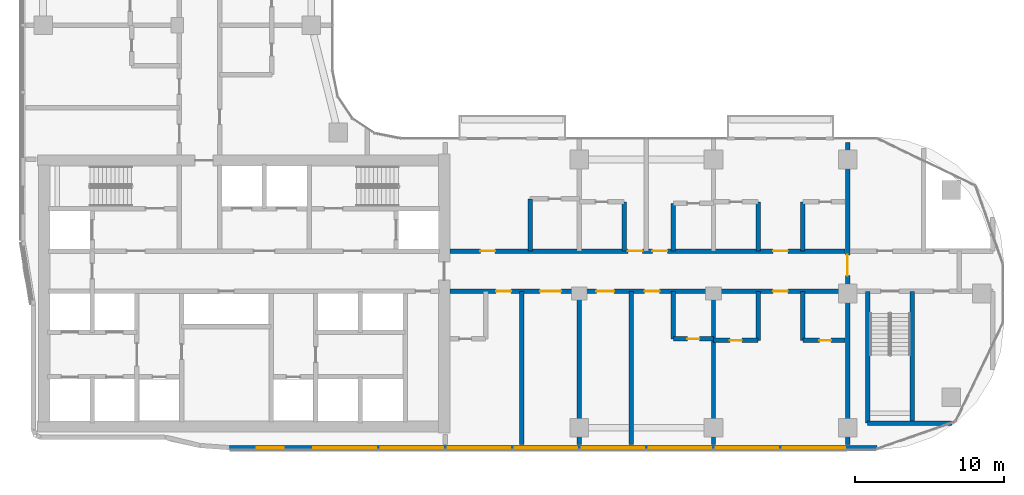
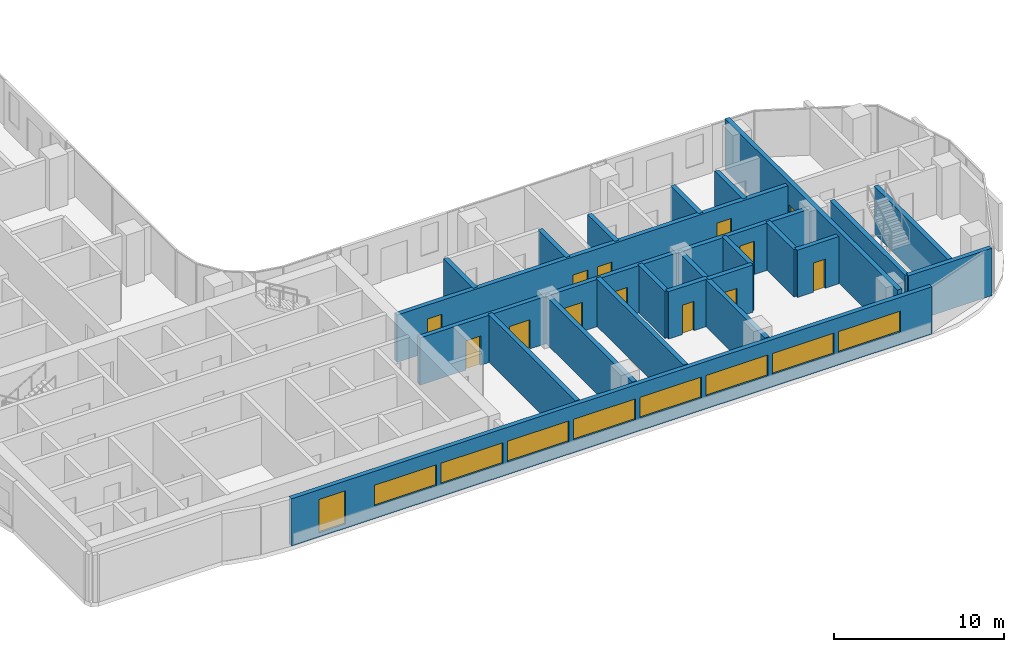
# One storey, part 9 of 21: 22 walls, 13 doors, 9 windows, 22 openings.
"""IFC4 building model written with IfcOpenShell, lengths in metres."""

import ifcopenshell
import ifcopenshell.guid

model = None  # the IFC model being written
_history = None  # IfcOwnerHistory: only IFC2X3 demands one
_inside = {}  # id of a spatial element -> (the spatial element, [elements in it])
_under = {}  # id of a project, library or spatial element -> (it, [spatial elements below it])
_declared = {}  # id of a project -> (the project, [libraries it declares])
_typed = {}  # id of a type object -> (the type object, [elements of that type])
_made_of = {}  # id of a material, layer set ... -> (it, [elements and type objects made of it])


def new_model(schema):
    """Start an empty IFC model of exactly this schema.

    Asked for "IFC4X3", IfcOpenShell would pick the latest addendum, in which some entities
    have other attributes; the version numbers below select the first issue.
    IFC2X3 requires an IfcOwnerHistory on every rooted entity: one is made here for all.
    """
    global model, _history
    if schema == "IFC4X3":
        model = ifcopenshell.file(schema_version=(4, 3, 0, 0))
    else:
        model = ifcopenshell.file(schema=schema)
    _inside.clear()
    _under.clear()
    _declared.clear()
    _typed.clear()
    _made_of.clear()
    _history = None
    if model.schema == "IFC2X3":
        org = make("IfcOrganization", Name="unknown")
        user = make(
            "IfcPersonAndOrganization",
            ThePerson=make("IfcPerson", FamilyName="unknown"),
            TheOrganization=org,
        )
        app = make(
            "IfcApplication",
            ApplicationDeveloper=org,
            Version="unknown",
            ApplicationFullName="unknown",
            ApplicationIdentifier="unknown",
        )
        _history = make(
            "IfcOwnerHistory",
            OwningUser=user,
            OwningApplication=app,
            ChangeAction="ADDED",
            CreationDate=0,
        )
    return model


def make(cls, **values):
    """One entity of the class cls with the attributes given. An attribute that is None is left unset."""
    return model.create_entity(
        cls, **{name: value for name, value in values.items() if value is not None}
    )


def rooted(cls, **values):
    """An entity with a GlobalId (a new one), such as an element, a storey or a relation."""
    return make(cls, GlobalId=ifcopenshell.guid.new(), OwnerHistory=_history, **values)


def si_unit(unit_type, name, prefix=None):
    """IfcSIUnit, for example si_unit("LENGTHUNIT", "METRE", prefix="MILLI")."""
    return make("IfcSIUnit", UnitType=unit_type, Prefix=prefix, Name=name)


def assignment(units):
    """IfcUnitAssignment: the units of a project."""
    return None if units is None else make("IfcUnitAssignment", Units=units)


def point(xyz):
    """IfcCartesianPoint."""
    return None if xyz is None else make("IfcCartesianPoint", Coordinates=xyz)


def direction(xyz):
    """IfcDirection."""
    return None if xyz is None else make("IfcDirection", DirectionRatios=xyz)


def frame(location, z_axis=None, x_axis=None):
    """IfcAxis2Placement3D, a coordinate frame: its origin and axes. An axis left out is left unset."""
    return make(
        "IfcAxis2Placement3D",
        Location=point(location),
        Axis=direction(z_axis),
        RefDirection=direction(x_axis),
    )


def frame_2d(location, x_axis=None):
    """IfcAxis2Placement2D, a coordinate frame in the plane: its origin and x axis."""
    return make(
        "IfcAxis2Placement2D", Location=point(location), RefDirection=direction(x_axis)
    )


def origin():
    """The frame at (0, 0, 0) with its axes left unset."""
    return frame((0.0, 0.0, 0.0))


def place(relative_to, where):
    """IfcLocalPlacement: puts the frame where relative to a parent placement (None: the world)."""
    return make(
        "IfcLocalPlacement", PlacementRelTo=relative_to, RelativePlacement=where
    )


def context(
    kind, dimensions, precision=None, world=None, true_north=None, identifier=None
):
    """IfcGeometricRepresentationContext, for example the 3D "Model" context."""
    return make(
        "IfcGeometricRepresentationContext",
        ContextIdentifier=identifier,
        ContextType=kind,
        CoordinateSpaceDimension=dimensions,
        Precision=precision,
        WorldCoordinateSystem=world,
        TrueNorth=true_north,
    )


def subcontext(parent, identifier, kind, view, scale=None):
    """IfcGeometricRepresentationSubContext, for example "Body" below "Model"."""
    return make(
        "IfcGeometricRepresentationSubContext",
        ContextIdentifier=identifier,
        ContextType=kind,
        ParentContext=parent,
        TargetScale=scale,
        TargetView=view,
    )


def project(units=None, contexts=None):
    """IfcProject with its units and contexts."""
    return rooted(
        "IfcProject",
        Name="project",
        RepresentationContexts=contexts,
        UnitsInContext=assignment(units),
    )


def spatial(cls, under=None, at=None, **own):
    """A site, building, storey or space (cls), placed at a placement, below another one or the project."""
    s = rooted(cls, ObjectPlacement=at, **own)
    if under is not None:
        _under.setdefault(under.id(), (under, []))[1].append(s)
    return s


def profile(cls, at=None, kind="AREA", **sizes):
    """A parametric profile (cls). Its sizes go by their IFC names, for example OverallWidth=200.0."""
    return make(cls, ProfileType=kind, Position=at, **sizes)


def rectangle(**sizes):
    """IfcRectangleProfileDef."""
    return profile("IfcRectangleProfileDef", **sizes)


def extrude(swept, where, along, depth):
    """IfcExtrudedAreaSolid: the profile swept, set in the frame where, extruded along a direction by depth."""
    return make(
        "IfcExtrudedAreaSolid",
        SweptArea=swept,
        Position=where,
        ExtrudedDirection=direction(along),
        Depth=depth,
    )


def shape(context_of_items, identifier, shape_type, items):
    """IfcShapeRepresentation: the items that make up one representation, for example the "Body"."""
    return make(
        "IfcShapeRepresentation",
        ContextOfItems=context_of_items,
        RepresentationIdentifier=identifier,
        RepresentationType=shape_type,
        Items=items,
    )


def material(Name=None, Category=None):
    """IfcMaterial."""
    return make("IfcMaterial", Name=Name, Category=Category)


def layer(
    of_material, thickness, ventilated=None, Name=None, Category=None, Priority=None
):
    """IfcMaterialLayer: one layer of a wall or slab, of a material (None: an air gap)."""
    return make(
        "IfcMaterialLayer",
        Material=of_material,
        LayerThickness=thickness,
        IsVentilated=ventilated,
        Name=Name,
        Category=Category,
        Priority=Priority,
    )


def layer_set(layers, Name=None):
    """IfcMaterialLayerSet."""
    return make("IfcMaterialLayerSet", MaterialLayers=layers, LayerSetName=Name)


def made_of(thing, what):
    """Note that an element or type object is made of a material, layer set ...; save() writes the relation."""
    if what is not None:
        _made_of.setdefault(what.id(), (what, []))[1].append(thing)
    return thing


def type_object(cls, material=None, **own):
    """A type object (cls), such as IfcWallType, which elements share."""
    return made_of(rooted(cls, **own), material)


def element(
    cls,
    number,
    at=None,
    inside=None,
    cuts=None,
    type_object=None,
    material=None,
    context=None,
    identifier="Body",
    shape_type=None,
    held_by="IfcProductDefinitionShape",
    body=None,
    shapes=None,
    **own,
):
    """One element of the class cls, such as IfcWall. Its Tag is "e" and its number.

    at: its placement. inside: the storey or other place that contains it. cuts: it is an
    opening in that element (IfcRelVoidsElement). A single representation is given by context,
    identifier, shape_type and body (its items); several are given by shapes. held_by: the class
    of the entity that holds the representations. save() writes the other relations.
    """
    e = rooted(cls, Tag="e%d" % number, ObjectPlacement=at, **own)
    if body is not None:
        shapes = [shape(context, identifier, shape_type, body)]
    if shapes is not None:
        e.Representation = make(held_by, Representations=shapes)
    if inside is not None:
        _inside.setdefault(inside.id(), (inside, []))[1].append(e)
    if cuts is not None:
        rooted(
            "IfcRelVoidsElement", RelatingBuildingElement=cuts, RelatedOpeningElement=e
        )
    if type_object is not None:
        _typed.setdefault(type_object.id(), (type_object, []))[1].append(e)
    return made_of(e, material)


def fill(opening, filler):
    """IfcRelFillsElement: the door or window that sits in an opening."""
    return rooted(
        "IfcRelFillsElement",
        RelatingOpeningElement=opening,
        RelatedBuildingElement=filler,
    )


def aggregate(whole, parts):
    """IfcRelAggregates: a whole, such as a stair, and the parts it consists of."""
    return rooted("IfcRelAggregates", RelatingObject=whole, RelatedObjects=parts)


def save(model, path):
    """Write the relations noted so far, then the file.

    IfcRelAggregates (storeys below a building ...), IfcRelContainedInSpatialStructure (elements
    in a storey), IfcRelDefinesByType, IfcRelAssociatesMaterial and IfcRelDeclares: one each for
    every whole, place, type object, material and project.
    """
    for whole, parts in _under.values():
        aggregate(whole, parts)
    for where, things in _inside.values():
        rooted(
            "IfcRelContainedInSpatialStructure",
            RelatedElements=things,
            RelatingStructure=where,
        )
    for kind, things in _typed.values():
        rooted("IfcRelDefinesByType", RelatedObjects=things, RelatingType=kind)
    for what, things in _made_of.values():
        rooted("IfcRelAssociatesMaterial", RelatedObjects=things, RelatingMaterial=what)
    for by, libraries in _declared.values():
        rooted("IfcRelDeclares", RelatingContext=by, RelatedDefinitions=libraries)
    model.write(path)


model = new_model("IFC4")

# Units and contexts
model_context = context("Model", 3, precision=1e-05, world=origin(), true_north=direction((0.0, 1.0)))
body_context = subcontext(model_context, "Body", "Model", "MODEL_VIEW")
ifc_project = project(units=[si_unit("LENGTHUNIT", "METRE"), si_unit("AREAUNIT", "SQUARE_METRE"), si_unit("VOLUMEUNIT", "CUBIC_METRE"), si_unit("PLANEANGLEUNIT", "RADIAN"), si_unit("MASSUNIT", "GRAM", prefix="KILO")], contexts=[model_context])

# Site, building, storey
site_placement = place(None, origin())
site = spatial("IfcSite", under=ifc_project, at=site_placement, CompositionType="ELEMENT")
building_placement = place(site_placement, origin())
building = spatial("IfcBuilding", under=site, at=building_placement, Name="Ogive Portal Towers", CompositionType="ELEMENT")
storey_placement = place(building_placement, frame((0.0, 0.0, 109.300048828125)))
storey = spatial("IfcBuildingStorey", under=building, at=storey_placement, Name="L26", CompositionType="ELEMENT", Elevation=109.300048828125)

# Wall, openings, windows
ifc_material_1 = material(Name="Limestone cladding on lightweight block wall", Category="masonry")
ifc_layer_1 = layer(ifc_material_1, 0.300048828125)
ifc_layer_set_1 = layer_set([ifc_layer_1], Name="EXTERNAL WALL 300 STONE")
wall_type_1 = type_object("IfcWallType", Name="EXTERNAL WALL 300 STONE", PredefinedType="SOLIDWALL", material=ifc_layer_set_1)
wall_1_placement = place(storey_placement, frame((44.0107421875, 20.14990234375, 0.0), z_axis=(0.0, 0.0, 1.0), x_axis=(1.0, 0.0, 0.0)))
wall_1 = element("IfcWall", 1, at=wall_1_placement, inside=storey, type_object=wall_type_1, Name="A:L26:f06:r0:wall", PredefinedType="SOLIDWALL", context=body_context, shape_type="SweptSolid", body=[
    extrude(rectangle(XDim=43.4755859375, YDim=0.300048828125, at=frame_2d((21.73779296875, 0.0))), origin(), (0.0, 0.0, 1.0), 3.39990234375),
])
opening_1_placement = place(wall_1_placement, frame((1.8447265625, 0.0, 0.300048828125)))
opening_1 = element("IfcOpeningElement", 2, at=opening_1_placement, cuts=wall_1, Name="Opening WN10", PredefinedType="OPENING", context=body_context, shape_type="SweptSolid", body=[
    extrude(rectangle(XDim=1.800048828125, YDim=2.39990234375, at=frame_2d((0.89990234375, 1.199951171875))), frame((0.0, 0.16015625, 0.0), z_axis=(0.0, -1.0, 0.0), x_axis=(1.0, 0.0, 0.0)), (0.0, 0.0, 1.0), 0.320068359375),
])
opening_2_placement = place(wall_1_placement, frame((5.639404296875, 0.0, 0.89990234375)))
opening_2 = element("IfcOpeningElement", 3, at=opening_2_placement, cuts=wall_1, Name="Opening WN11", PredefinedType="OPENING", context=body_context, shape_type="SweptSolid", body=[
    extrude(rectangle(XDim=4.199951171875, YDim=1.5, at=frame_2d((2.10009765625, 0.75))), frame((0.0, 0.16015625, 0.0), z_axis=(0.0, -1.0, 0.0), x_axis=(1.0, 0.0, 0.0)), (0.0, 0.0, 1.0), 0.320068359375),
])
opening_3_placement = place(wall_1_placement, frame((10.139404296875, 0.0, 0.89990234375)))
opening_3 = element("IfcOpeningElement", 4, at=opening_3_placement, cuts=wall_1, Name="Opening WN11", PredefinedType="OPENING", context=body_context, shape_type="SweptSolid", body=[
    extrude(rectangle(XDim=4.199951171875, YDim=1.5, at=frame_2d((2.10009765625, 0.75))), frame((0.0, 0.16015625, 0.0), z_axis=(0.0, -1.0, 0.0), x_axis=(1.0, 0.0, 0.0)), (0.0, 0.0, 1.0), 0.320068359375),
])
opening_4_placement = place(wall_1_placement, frame((14.639404296875, 0.0, 0.89990234375)))
opening_4 = element("IfcOpeningElement", 5, at=opening_4_placement, cuts=wall_1, Name="Opening WN11", PredefinedType="OPENING", context=body_context, shape_type="SweptSolid", body=[
    extrude(rectangle(XDim=4.199951171875, YDim=1.5, at=frame_2d((2.10009765625, 0.75))), frame((0.0, 0.16015625, 0.0), z_axis=(0.0, -1.0, 0.0), x_axis=(1.0, 0.0, 0.0)), (0.0, 0.0, 1.0), 0.320068359375),
])
opening_5_placement = place(wall_1_placement, frame((19.139404296875, 0.0, 0.89990234375)))
opening_5 = element("IfcOpeningElement", 6, at=opening_5_placement, cuts=wall_1, Name="Opening WN11", PredefinedType="OPENING", context=body_context, shape_type="SweptSolid", body=[
    extrude(rectangle(XDim=4.199951171875, YDim=1.5, at=frame_2d((2.10009765625, 0.75))), frame((0.0, 0.16015625, 0.0), z_axis=(0.0, -1.0, 0.0), x_axis=(1.0, 0.0, 0.0)), (0.0, 0.0, 1.0), 0.320068359375),
])
opening_6_placement = place(wall_1_placement, frame((23.639404296875, 0.0, 0.89990234375)))
opening_6 = element("IfcOpeningElement", 7, at=opening_6_placement, cuts=wall_1, Name="Opening WN11", PredefinedType="OPENING", context=body_context, shape_type="SweptSolid", body=[
    extrude(rectangle(XDim=4.199951171875, YDim=1.5, at=frame_2d((2.10009765625, 0.75))), frame((0.0, 0.16015625, 0.0), z_axis=(0.0, -1.0, 0.0), x_axis=(1.0, 0.0, 0.0)), (0.0, 0.0, 1.0), 0.320068359375),
])
opening_7_placement = place(wall_1_placement, frame((28.139404296875, 0.0, 0.89990234375)))
opening_7 = element("IfcOpeningElement", 8, at=opening_7_placement, cuts=wall_1, Name="Opening WN11", PredefinedType="OPENING", context=body_context, shape_type="SweptSolid", body=[
    extrude(rectangle(XDim=4.199951171875, YDim=1.5, at=frame_2d((2.10009765625, 0.75))), frame((0.0, 0.16015625, 0.0), z_axis=(0.0, -1.0, 0.0), x_axis=(1.0, 0.0, 0.0)), (0.0, 0.0, 1.0), 0.320068359375),
])
opening_8_placement = place(wall_1_placement, frame((32.639404296875, 0.0, 0.89990234375)))
opening_8 = element("IfcOpeningElement", 9, at=opening_8_placement, cuts=wall_1, Name="Opening WN11", PredefinedType="OPENING", context=body_context, shape_type="SweptSolid", body=[
    extrude(rectangle(XDim=4.199951171875, YDim=1.5, at=frame_2d((2.10009765625, 0.75))), frame((0.0, 0.16015625, 0.0), z_axis=(0.0, -1.0, 0.0), x_axis=(1.0, 0.0, 0.0)), (0.0, 0.0, 1.0), 0.320068359375),
])
opening_9_placement = place(wall_1_placement, frame((37.139404296875, 0.0, 0.89990234375)))
opening_9 = element("IfcOpeningElement", 10, at=opening_9_placement, cuts=wall_1, Name="Opening WN11", PredefinedType="OPENING", context=body_context, shape_type="SweptSolid", body=[
    extrude(rectangle(XDim=4.199951171875, YDim=1.5, at=frame_2d((2.10009765625, 0.75))), frame((0.0, 0.16015625, 0.0), z_axis=(0.0, -1.0, 0.0), x_axis=(1.0, 0.0, 0.0)), (0.0, 0.0, 1.0), 0.320068359375),
])
ifc_material_2 = material(Name="Glass, clear low-iron insulated glazing", Category="glass")
window_type_1 = type_object("IfcWindowType", Name="WINDOW RIBBON 4200x1500", PartitioningType="TRIPLE_PANEL_VERTICAL", PredefinedType="WINDOW", material=ifc_material_2)
window_1_placement = place(opening_2_placement, origin())
window_1 = element("IfcWindow", 11, at=window_1_placement, inside=storey, type_object=window_type_1, Name="A:L26:f06:r0:w1", OverallHeight=1.5, OverallWidth=4.199951171875, PartitioningType="SINGLE_PANEL", PredefinedType="WINDOW", context=body_context, shape_type="SweptSolid", body=[
    extrude(rectangle(XDim=4.199951171875, YDim=1.5, at=frame_2d((2.10009765625, 0.75))), frame((0.0, 0.030029296875, 0.0), z_axis=(0.0, -1.0, 0.0), x_axis=(1.0, 0.0, 0.0)), (0.0, 0.0, 1.0), 0.06005859375),
])
fill(opening_2, window_1)
window_2_placement = place(opening_3_placement, origin())
window_2 = element("IfcWindow", 12, at=window_2_placement, inside=storey, type_object=window_type_1, Name="A:L26:f06:r0:w2", OverallHeight=1.5, OverallWidth=4.199951171875, PartitioningType="SINGLE_PANEL", PredefinedType="WINDOW", context=body_context, shape_type="SweptSolid", body=[
    extrude(rectangle(XDim=4.199951171875, YDim=1.5, at=frame_2d((2.10009765625, 0.75))), frame((0.0, 0.030029296875, 0.0), z_axis=(0.0, -1.0, 0.0), x_axis=(1.0, 0.0, 0.0)), (0.0, 0.0, 1.0), 0.06005859375),
])
fill(opening_3, window_2)
window_3_placement = place(opening_4_placement, origin())
window_3 = element("IfcWindow", 13, at=window_3_placement, inside=storey, type_object=window_type_1, Name="A:L26:f06:r0:w3", OverallHeight=1.5, OverallWidth=4.199951171875, PartitioningType="SINGLE_PANEL", PredefinedType="WINDOW", context=body_context, shape_type="SweptSolid", body=[
    extrude(rectangle(XDim=4.199951171875, YDim=1.5, at=frame_2d((2.10009765625, 0.75))), frame((0.0, 0.030029296875, 0.0), z_axis=(0.0, -1.0, 0.0), x_axis=(1.0, 0.0, 0.0)), (0.0, 0.0, 1.0), 0.06005859375),
])
fill(opening_4, window_3)
window_4_placement = place(opening_5_placement, origin())
window_4 = element("IfcWindow", 14, at=window_4_placement, inside=storey, type_object=window_type_1, Name="A:L26:f06:r0:w4", OverallHeight=1.5, OverallWidth=4.199951171875, PartitioningType="SINGLE_PANEL", PredefinedType="WINDOW", context=body_context, shape_type="SweptSolid", body=[
    extrude(rectangle(XDim=4.199951171875, YDim=1.5, at=frame_2d((2.10009765625, 0.75))), frame((0.0, 0.030029296875, 0.0), z_axis=(0.0, -1.0, 0.0), x_axis=(1.0, 0.0, 0.0)), (0.0, 0.0, 1.0), 0.06005859375),
])
fill(opening_5, window_4)
window_5_placement = place(opening_6_placement, origin())
window_5 = element("IfcWindow", 15, at=window_5_placement, inside=storey, type_object=window_type_1, Name="A:L26:f06:r0:w5", OverallHeight=1.5, OverallWidth=4.199951171875, PartitioningType="SINGLE_PANEL", PredefinedType="WINDOW", context=body_context, shape_type="SweptSolid", body=[
    extrude(rectangle(XDim=4.199951171875, YDim=1.5, at=frame_2d((2.10009765625, 0.75))), frame((0.0, 0.030029296875, 0.0), z_axis=(0.0, -1.0, 0.0), x_axis=(1.0, 0.0, 0.0)), (0.0, 0.0, 1.0), 0.06005859375),
])
fill(opening_6, window_5)
window_6_placement = place(opening_7_placement, origin())
window_6 = element("IfcWindow", 16, at=window_6_placement, inside=storey, type_object=window_type_1, Name="A:L26:f06:r0:w6", OverallHeight=1.5, OverallWidth=4.199951171875, PartitioningType="SINGLE_PANEL", PredefinedType="WINDOW", context=body_context, shape_type="SweptSolid", body=[
    extrude(rectangle(XDim=4.199951171875, YDim=1.5, at=frame_2d((2.10009765625, 0.75))), frame((0.0, 0.030029296875, 0.0), z_axis=(0.0, -1.0, 0.0), x_axis=(1.0, 0.0, 0.0)), (0.0, 0.0, 1.0), 0.06005859375),
])
fill(opening_7, window_6)
window_7_placement = place(opening_8_placement, origin())
window_7 = element("IfcWindow", 17, at=window_7_placement, inside=storey, type_object=window_type_1, Name="A:L26:f06:r0:w7", OverallHeight=1.5, OverallWidth=4.199951171875, PartitioningType="SINGLE_PANEL", PredefinedType="WINDOW", context=body_context, shape_type="SweptSolid", body=[
    extrude(rectangle(XDim=4.199951171875, YDim=1.5, at=frame_2d((2.10009765625, 0.75))), frame((0.0, 0.030029296875, 0.0), z_axis=(0.0, -1.0, 0.0), x_axis=(1.0, 0.0, 0.0)), (0.0, 0.0, 1.0), 0.06005859375),
])
fill(opening_8, window_7)
window_8_placement = place(opening_9_placement, origin())
window_8 = element("IfcWindow", 18, at=window_8_placement, inside=storey, type_object=window_type_1, Name="A:L26:f06:r0:w8", OverallHeight=1.5, OverallWidth=4.199951171875, PartitioningType="SINGLE_PANEL", PredefinedType="WINDOW", context=body_context, shape_type="SweptSolid", body=[
    extrude(rectangle(XDim=4.199951171875, YDim=1.5, at=frame_2d((2.10009765625, 0.75))), frame((0.0, 0.030029296875, 0.0), z_axis=(0.0, -1.0, 0.0), x_axis=(1.0, 0.0, 0.0)), (0.0, 0.0, 1.0), 0.06005859375),
])
fill(opening_9, window_8)
window_type_2 = type_object("IfcWindowType", Name="WINDOW SUITE CORNER 1800x2400", PartitioningType="DOUBLE_PANEL_VERTICAL", PredefinedType="WINDOW", material=ifc_material_2)
window_9_placement = place(opening_1_placement, origin())
window_9 = element("IfcWindow", 19, at=window_9_placement, inside=storey, type_object=window_type_2, Name="A:L26:f06:r0:w0", OverallHeight=2.39990234375, OverallWidth=1.800048828125, PartitioningType="SINGLE_PANEL", PredefinedType="WINDOW", context=body_context, shape_type="SweptSolid", body=[
    extrude(rectangle(XDim=1.800048828125, YDim=2.39990234375, at=frame_2d((0.89990234375, 1.199951171875))), frame((0.0, 0.030029296875, 0.0), z_axis=(0.0, -1.0, 0.0), x_axis=(1.0, 0.0, 0.0)), (0.0, 0.0, 1.0), 0.06005859375),
])
fill(opening_1, window_9)

# Wall, opening, door
ifc_material_3 = material(Name="Concrete C60/75", Category="concrete")
ifc_layer_2 = layer(ifc_material_3, 0.300048828125)
ifc_layer_set_2 = layer_set([ifc_layer_2], Name="REVEAL WALL 300 C60")
wall_type_2 = type_object("IfcWallType", Name="REVEAL WALL 300 C60", PredefinedType="SHEAR", material=ifc_layer_set_2)
wall_2_placement = place(storey_placement, frame((85.5, 20.35009765625, 0.0), z_axis=(0.0, 0.0, 1.0), x_axis=(0.0, 1.0, 0.0)))
wall_2 = element("IfcWall", 20, at=wall_2_placement, inside=storey, type_object=wall_type_2, Name="Portal reveal wall L26", PredefinedType="SHEAR", context=body_context, shape_type="SweptSolid", body=[
    extrude(rectangle(XDim=20.2998046875, YDim=0.300048828125, at=frame_2d((10.14990234375, 0.0))), origin(), (0.0, 0.0, 1.0), 3.699951171875),
])
opening_10_placement = place(wall_2_placement, frame((11.35009765625, 0.0, 0.0)))
opening_10 = element("IfcOpeningElement", 21, at=opening_10_placement, cuts=wall_2, Name="Opening D09-063", PredefinedType="OPENING", context=body_context, shape_type="SweptSolid", body=[
    extrude(rectangle(XDim=1.39990234375, YDim=2.10009765625, at=frame_2d((0.699951171875, 1.050048828125))), frame((0.0, 0.16015625, 0.0), z_axis=(0.0, -1.0, 0.0), x_axis=(1.0, 0.0, 0.0)), (0.0, 0.0, 1.0), 0.320068359375),
])
ifc_material_4 = material(Name="Steel fire door", Category="steel")
door_type_1 = type_object("IfcDoorType", Name="DT-STAIR-1400x2100-FD90S", OperationType="SINGLE_SWING_LEFT", PredefinedType="DOOR", material=ifc_material_4)
door_1_placement = place(opening_10_placement, origin())
door_1 = element("IfcDoor", 22, at=door_1_placement, inside=storey, type_object=door_type_1, Name="Door D09-063", OperationType="SINGLE_SWING_RIGHT", OverallHeight=2.10009765625, OverallWidth=1.39990234375, PredefinedType="DOOR", context=body_context, shape_type="SweptSolid", body=[
    extrude(rectangle(XDim=1.39990234375, YDim=2.10009765625, at=frame_2d((0.699951171875, 1.050048828125))), frame((0.0, 0.02490234375, 0.0), z_axis=(0.0, -1.0, 0.0), x_axis=(1.0, 0.0, 0.0)), (0.0, 0.0, 1.0), 0.050048828125),
])
fill(opening_10, door_1)

# Walls
ifc_material_5 = material(Name="Concrete C50/60", Category="concrete")
ifc_layer_3 = layer(ifc_material_5, 0.300048828125)
ifc_layer_set_3 = layer_set([ifc_layer_3], Name="STAIR WALL 300 C50")
wall_type_3 = type_object("IfcWallType", Name="STAIR WALL 300 C50", PredefinedType="SHEAR", material=ifc_layer_set_3)
wall_3_placement = place(storey_placement, frame((86.85009765625, 21.800048828125, 0.0), z_axis=(0.0, 0.0, 1.0), x_axis=(1.0, 0.0, 0.0)))
element("IfcWall", 23, at=wall_3_placement, inside=storey, type_object=wall_type_3, Name="Stair wall ST-A4 L26", PredefinedType="SHEAR", context=body_context, shape_type="SweptSolid", body=[
    extrude(rectangle(XDim=5.664794921875, YDim=0.300048828125, at=frame_2d((2.83251953125, 0.0))), origin(), (0.0, 0.0, 1.0), 3.39990234375),
])
for number, where, z_axis, x_axis, name in (
    (24, (86.85009765625, 21.800048828125, 0.0), (0.0, 0.0, 1.0), (0.0, 1.0, 0.0), "Stair wall ST-A4 L26"),
    (25, (89.85009765625, 21.800048828125, 0.0), (0.0, 0.0, 1.0), (0.0, 1.0, 0.0), "Stair wall ST-A4 L26"),
):
    element("IfcWall", number, at=place(storey_placement, frame(where, z_axis=z_axis, x_axis=x_axis)), inside=storey, type_object=wall_type_3, Name=name, PredefinedType="SHEAR", context=body_context, shape_type="SweptSolid", body=[
        extrude(rectangle(XDim=8.849853515625, YDim=0.300048828125, at=frame_2d((4.4248046875, 0.0))), origin(), (0.0, 0.0, 1.0), 3.39990234375),
    ])

# Wall, openings, doors
ifc_material_6 = material(Name="Gypsum board partition on steel studs", Category="steel")
ifc_layer_4 = layer(ifc_material_6, 0.300048828125)
ifc_layer_set_4 = layer_set([ifc_layer_4], Name="WT-PART-300-EI 120")
wall_type_4 = type_object("IfcWallType", Name="WT-PART-300-EI 120", PredefinedType="PARTITIONING", material=ifc_layer_set_4)
wall_4_placement = place(storey_placement, frame((58.800048828125, 30.64990234375, 0.0), z_axis=(0.0, 0.0, 1.0), x_axis=(1.0, 0.0, 0.0)))
wall_4 = element("IfcWall", 26, at=wall_4_placement, inside=storey, type_object=wall_type_4, Name="Wall L26:w006", PredefinedType="PARTITIONING", context=body_context, shape_type="SweptSolid", body=[
    extrude(rectangle(XDim=26.530029296875, YDim=0.300048828125, at=frame_2d((13.26513671875, 0.0))), origin(), (0.0, 0.0, 1.0), 3.39990234375),
])
opening_11_placement = place(wall_4_placement, frame((3.114990234375, 0.0, 0.0)))
opening_11 = element("IfcOpeningElement", 27, at=opening_11_placement, cuts=wall_4, Name="Opening D09-027", PredefinedType="OPENING", context=body_context, shape_type="SweptSolid", body=[
    extrude(rectangle(XDim=1.0, YDim=2.10009765625, at=frame_2d((0.5, 1.050048828125))), frame((0.0, 0.16015625, 0.0), z_axis=(0.0, -1.0, 0.0), x_axis=(1.0, 0.0, 0.0)), (0.0, 0.0, 1.0), 0.320068359375),
])
opening_12_placement = place(wall_4_placement, frame((6.06494140625, 0.0, 0.0)))
opening_12 = element("IfcOpeningElement", 28, at=opening_12_placement, cuts=wall_4, Name="Opening D09-028", PredefinedType="OPENING", context=body_context, shape_type="SweptSolid", body=[
    extrude(rectangle(XDim=1.39990234375, YDim=2.10009765625, at=frame_2d((0.699951171875, 1.050048828125))), frame((0.0, 0.16015625, 0.0), z_axis=(0.0, -1.0, 0.0), x_axis=(1.0, 0.0, 0.0)), (0.0, 0.0, 1.0), 0.320068359375),
])
opening_13_placement = place(wall_4_placement, frame((9.8349609375, 0.0, 0.0)))
opening_13 = element("IfcOpeningElement", 29, at=opening_13_placement, cuts=wall_4, Name="Opening D09-033", PredefinedType="OPENING", context=body_context, shape_type="SweptSolid", body=[
    extrude(rectangle(XDim=1.199951171875, YDim=2.10009765625, at=frame_2d((0.60009765625, 1.050048828125))), frame((0.0, 0.16015625, 0.0), z_axis=(0.0, -1.0, 0.0), x_axis=(1.0, 0.0, 0.0)), (0.0, 0.0, 1.0), 0.320068359375),
])
opening_14_placement = place(wall_4_placement, frame((13.0849609375, 0.0, 0.0)))
opening_14 = element("IfcOpeningElement", 30, at=opening_14_placement, cuts=wall_4, Name="Opening D09-035", PredefinedType="OPENING", context=body_context, shape_type="SweptSolid", body=[
    extrude(rectangle(XDim=1.0, YDim=2.10009765625, at=frame_2d((0.5, 1.050048828125))), frame((0.0, 0.16015625, 0.0), z_axis=(0.0, -1.0, 0.0), x_axis=(1.0, 0.0, 0.0)), (0.0, 0.0, 1.0), 0.320068359375),
])
opening_15_placement = place(wall_4_placement, frame((21.699951171875, 0.0, 0.0)))
opening_15 = element("IfcOpeningElement", 31, at=opening_15_placement, cuts=wall_4, Name="Opening D09-041", PredefinedType="OPENING", context=body_context, shape_type="SweptSolid", body=[
    extrude(rectangle(XDim=1.0, YDim=2.39990234375, at=frame_2d((0.5, 1.199951171875))), frame((0.0, 0.16015625, 0.0), z_axis=(0.0, -1.0, 0.0), x_axis=(1.0, 0.0, 0.0)), (0.0, 0.0, 1.0), 0.320068359375),
])
door_type_2 = type_object("IfcDoorType", Name="DT-ENTRY-1000x2100-FD90S", OperationType="SINGLE_SWING_LEFT", PredefinedType="DOOR", material=ifc_material_4)
door_2_placement = place(opening_11_placement, origin())
door_2 = element("IfcDoor", 32, at=door_2_placement, inside=storey, type_object=door_type_2, Name="Door D09-027", OperationType="SINGLE_SWING_RIGHT", OverallHeight=2.10009765625, OverallWidth=1.0, PredefinedType="DOOR", context=body_context, shape_type="SweptSolid", body=[
    extrude(rectangle(XDim=1.0, YDim=2.10009765625, at=frame_2d((0.5, 1.050048828125))), frame((0.0, 0.02490234375, 0.0), z_axis=(0.0, -1.0, 0.0), x_axis=(1.0, 0.0, 0.0)), (0.0, 0.0, 1.0), 0.050048828125),
])
fill(opening_11, door_2)
door_3_placement = place(opening_14_placement, origin())
door_3 = element("IfcDoor", 33, at=door_3_placement, inside=storey, type_object=door_type_2, Name="Door D09-035", OperationType="SINGLE_SWING_LEFT", OverallHeight=2.10009765625, OverallWidth=1.0, PredefinedType="DOOR", context=body_context, shape_type="SweptSolid", body=[
    extrude(rectangle(XDim=1.0, YDim=2.10009765625, at=frame_2d((0.5, 1.050048828125))), frame((0.0, 0.02490234375, 0.0), z_axis=(0.0, -1.0, 0.0), x_axis=(1.0, 0.0, 0.0)), (0.0, 0.0, 1.0), 0.050048828125),
])
fill(opening_14, door_3)
door_type_3 = type_object("IfcDoorType", Name="DT-ENTRY-1000x2400-FD90S", OperationType="SINGLE_SWING_LEFT", PredefinedType="DOOR", material=ifc_material_4)
door_4_placement = place(opening_15_placement, origin())
door_4 = element("IfcDoor", 34, at=door_4_placement, inside=storey, type_object=door_type_3, Name="Door D09-041", OperationType="SINGLE_SWING_LEFT", OverallHeight=2.39990234375, OverallWidth=1.0, PredefinedType="DOOR", context=body_context, shape_type="SweptSolid", body=[
    extrude(rectangle(XDim=1.0, YDim=2.39990234375, at=frame_2d((0.5, 1.199951171875))), frame((0.0, 0.02490234375, 0.0), z_axis=(0.0, -1.0, 0.0), x_axis=(1.0, 0.0, 0.0)), (0.0, 0.0, 1.0), 0.050048828125),
])
fill(opening_15, door_4)
door_type_4 = type_object("IfcDoorType", Name="DT-ENTRY-1200x2100-FD90S", OperationType="SINGLE_SWING_LEFT", PredefinedType="DOOR", material=ifc_material_4)
door_5_placement = place(opening_13_placement, origin())
door_5 = element("IfcDoor", 35, at=door_5_placement, inside=storey, type_object=door_type_4, Name="Door D09-033", OperationType="SINGLE_SWING_LEFT", OverallHeight=2.10009765625, OverallWidth=1.199951171875, PredefinedType="DOOR", context=body_context, shape_type="SweptSolid", body=[
    extrude(rectangle(XDim=1.199951171875, YDim=2.10009765625, at=frame_2d((0.60009765625, 1.050048828125))), frame((0.0, 0.02490234375, 0.0), z_axis=(0.0, -1.0, 0.0), x_axis=(1.0, 0.0, 0.0)), (0.0, 0.0, 1.0), 0.050048828125),
])
fill(opening_13, door_5)
door_type_5 = type_object("IfcDoorType", Name="DT-ENTRY-1400x2100-FD90S", OperationType="SINGLE_SWING_LEFT", PredefinedType="DOOR", material=ifc_material_4)
door_6_placement = place(opening_12_placement, origin())
door_6 = element("IfcDoor", 36, at=door_6_placement, inside=storey, type_object=door_type_5, Name="Door D09-028", OperationType="SINGLE_SWING_LEFT", OverallHeight=2.10009765625, OverallWidth=1.39990234375, PredefinedType="DOOR", context=body_context, shape_type="SweptSolid", body=[
    extrude(rectangle(XDim=1.39990234375, YDim=2.10009765625, at=frame_2d((0.699951171875, 1.050048828125))), frame((0.0, 0.02490234375, 0.0), z_axis=(0.0, -1.0, 0.0), x_axis=(1.0, 0.0, 0.0)), (0.0, 0.0, 1.0), 0.050048828125),
])
fill(opening_12, door_6)

wall_5_placement = place(storey_placement, frame((58.800048828125, 33.35009765625, 0.0), z_axis=(0.0, 0.0, 1.0), x_axis=(1.0, 0.0, 0.0)))
wall_5 = element("IfcWall", 37, at=wall_5_placement, inside=storey, type_object=wall_type_4, Name="Wall L26:w008", PredefinedType="PARTITIONING", context=body_context, shape_type="SweptSolid", body=[
    extrude(rectangle(XDim=26.530029296875, YDim=0.300048828125, at=frame_2d((13.26513671875, 0.0))), origin(), (0.0, 0.0, 1.0), 3.39990234375),
])
opening_16_placement = place(wall_5_placement, frame((2.050048828125, 0.0, 0.0)))
opening_16 = element("IfcOpeningElement", 38, at=opening_16_placement, cuts=wall_5, Name="Opening D09-025", PredefinedType="OPENING", context=body_context, shape_type="SweptSolid", body=[
    extrude(rectangle(XDim=1.0, YDim=2.39990234375, at=frame_2d((0.5, 1.199951171875))), frame((0.0, 0.16015625, 0.0), z_axis=(0.0, -1.0, 0.0), x_axis=(1.0, 0.0, 0.0)), (0.0, 0.0, 1.0), 0.320068359375),
])
opening_17_placement = place(wall_5_placement, frame((11.949951171875, 0.0, 0.0)))
opening_17 = element("IfcOpeningElement", 39, at=opening_17_placement, cuts=wall_5, Name="Opening D09-030", PredefinedType="OPENING", context=body_context, shape_type="SweptSolid", body=[
    extrude(rectangle(XDim=1.0, YDim=2.10009765625, at=frame_2d((0.5, 1.050048828125))), frame((0.0, 0.16015625, 0.0), z_axis=(0.0, -1.0, 0.0), x_axis=(1.0, 0.0, 0.0)), (0.0, 0.0, 1.0), 0.320068359375),
])
opening_18_placement = place(wall_5_placement, frame((13.60009765625, 0.0, 0.0)))
opening_18 = element("IfcOpeningElement", 40, at=opening_18_placement, cuts=wall_5, Name="Opening D09-032", PredefinedType="OPENING", context=body_context, shape_type="SweptSolid", body=[
    extrude(rectangle(XDim=1.0, YDim=2.10009765625, at=frame_2d((0.5, 1.050048828125))), frame((0.0, 0.16015625, 0.0), z_axis=(0.0, -1.0, 0.0), x_axis=(1.0, 0.0, 0.0)), (0.0, 0.0, 1.0), 0.320068359375),
])
opening_19_placement = place(wall_5_placement, frame((21.699951171875, 0.0, 0.0)))
opening_19 = element("IfcOpeningElement", 41, at=opening_19_placement, cuts=wall_5, Name="Opening D09-038", PredefinedType="OPENING", context=body_context, shape_type="SweptSolid", body=[
    extrude(rectangle(XDim=1.0, YDim=2.39990234375, at=frame_2d((0.5, 1.199951171875))), frame((0.0, 0.16015625, 0.0), z_axis=(0.0, -1.0, 0.0), x_axis=(1.0, 0.0, 0.0)), (0.0, 0.0, 1.0), 0.320068359375),
])
door_7_placement = place(opening_17_placement, origin())
door_7 = element("IfcDoor", 42, at=door_7_placement, inside=storey, type_object=door_type_2, Name="Door D09-030", OperationType="SINGLE_SWING_RIGHT", OverallHeight=2.10009765625, OverallWidth=1.0, PredefinedType="DOOR", context=body_context, shape_type="SweptSolid", body=[
    extrude(rectangle(XDim=1.0, YDim=2.10009765625, at=frame_2d((0.5, 1.050048828125))), frame((0.0, 0.02490234375, 0.0), z_axis=(0.0, -1.0, 0.0), x_axis=(1.0, 0.0, 0.0)), (0.0, 0.0, 1.0), 0.050048828125),
])
fill(opening_17, door_7)
door_8_placement = place(opening_18_placement, origin())
door_8 = element("IfcDoor", 43, at=door_8_placement, inside=storey, type_object=door_type_2, Name="Door D09-032", OperationType="SINGLE_SWING_LEFT", OverallHeight=2.10009765625, OverallWidth=1.0, PredefinedType="DOOR", context=body_context, shape_type="SweptSolid", body=[
    extrude(rectangle(XDim=1.0, YDim=2.10009765625, at=frame_2d((0.5, 1.050048828125))), frame((0.0, 0.02490234375, 0.0), z_axis=(0.0, -1.0, 0.0), x_axis=(1.0, 0.0, 0.0)), (0.0, 0.0, 1.0), 0.050048828125),
])
fill(opening_18, door_8)
door_9_placement = place(opening_16_placement, origin())
door_9 = element("IfcDoor", 44, at=door_9_placement, inside=storey, type_object=door_type_3, Name="Door D09-025", OperationType="SINGLE_SWING_LEFT", OverallHeight=2.39990234375, OverallWidth=1.0, PredefinedType="DOOR", context=body_context, shape_type="SweptSolid", body=[
    extrude(rectangle(XDim=1.0, YDim=2.39990234375, at=frame_2d((0.5, 1.199951171875))), frame((0.0, 0.02490234375, 0.0), z_axis=(0.0, -1.0, 0.0), x_axis=(1.0, 0.0, 0.0)), (0.0, 0.0, 1.0), 0.050048828125),
])
fill(opening_16, door_9)
door_10_placement = place(opening_19_placement, origin())
door_10 = element("IfcDoor", 45, at=door_10_placement, inside=storey, type_object=door_type_3, Name="Door D09-038", OperationType="SINGLE_SWING_LEFT", OverallHeight=2.39990234375, OverallWidth=1.0, PredefinedType="DOOR", context=body_context, shape_type="SweptSolid", body=[
    extrude(rectangle(XDim=1.0, YDim=2.39990234375, at=frame_2d((0.5, 1.199951171875))), frame((0.0, 0.02490234375, 0.0), z_axis=(0.0, -1.0, 0.0), x_axis=(1.0, 0.0, 0.0)), (0.0, 0.0, 1.0), 0.050048828125),
])
fill(opening_19, door_10)

# Wall, opening, door
ifc_layer_5 = layer(ifc_material_6, 0.300048828125)
ifc_layer_set_5 = layer_set([ifc_layer_5], Name="WT-PART-300-EI 60")
wall_type_5 = type_object("IfcWallType", Name="WT-PART-300-EI 60", PredefinedType="PARTITIONING", material=ifc_layer_set_5)
wall_6_placement = place(storey_placement, frame((76.5, 27.35009765625, 0.0), z_axis=(0.0, 0.0, 1.0), x_axis=(1.0, 0.0, 0.0)))
wall_6 = element("IfcWall", 46, at=wall_6_placement, inside=storey, type_object=wall_type_5, Name="Wall L26:w002", PredefinedType="PARTITIONING", context=body_context, shape_type="SweptSolid", body=[
    extrude(rectangle(XDim=3.0, YDim=0.300048828125, at=frame_2d((1.5, 0.0))), origin(), (0.0, 0.0, 1.0), 3.39990234375),
])
opening_20_placement = place(wall_6_placement, frame((1.10009765625, 0.0, 0.0)))
opening_20 = element("IfcOpeningElement", 47, at=opening_20_placement, cuts=wall_6, Name="Opening D09-039", PredefinedType="OPENING", context=body_context, shape_type="SweptSolid", body=[
    extrude(rectangle(XDim=0.800048828125, YDim=2.10009765625, at=frame_2d((0.39990234375, 1.050048828125))), frame((0.0, 0.16015625, 0.0), z_axis=(0.0, -1.0, 0.0), x_axis=(1.0, 0.0, 0.0)), (0.0, 0.0, 1.0), 0.320068359375),
])
door_type_6 = type_object("IfcDoorType", Name="DT-BATH-800x2100-FD60S", OperationType="SINGLE_SWING_LEFT", PredefinedType="DOOR", material=ifc_material_4)
door_11_placement = place(opening_20_placement, origin())
door_11 = element("IfcDoor", 48, at=door_11_placement, inside=storey, type_object=door_type_6, Name="Door D09-039", OperationType="SINGLE_SWING_LEFT", OverallHeight=2.10009765625, OverallWidth=0.800048828125, PredefinedType="DOOR", context=body_context, shape_type="SweptSolid", body=[
    extrude(rectangle(XDim=0.800048828125, YDim=2.10009765625, at=frame_2d((0.39990234375, 1.050048828125))), frame((0.0, 0.02490234375, 0.0), z_axis=(0.0, -1.0, 0.0), x_axis=(1.0, 0.0, 0.0)), (0.0, 0.0, 1.0), 0.050048828125),
])
fill(opening_20, door_11)

wall_7_placement = place(storey_placement, frame((82.5, 27.35009765625, 0.0), z_axis=(0.0, 0.0, 1.0), x_axis=(1.0, 0.0, 0.0)))
wall_7 = element("IfcWall", 49, at=wall_7_placement, inside=storey, type_object=wall_type_5, Name="Wall L26:w003", PredefinedType="PARTITIONING", context=body_context, shape_type="SweptSolid", body=[
    extrude(rectangle(XDim=2.830078125, YDim=0.300048828125, at=frame_2d((1.4150390625, 0.0))), origin(), (0.0, 0.0, 1.0), 3.39990234375),
])
opening_21_placement = place(wall_7_placement, frame((1.10009765625, 0.0, 0.0)))
opening_21 = element("IfcOpeningElement", 50, at=opening_21_placement, cuts=wall_7, Name="Opening D09-040", PredefinedType="OPENING", context=body_context, shape_type="SweptSolid", body=[
    extrude(rectangle(XDim=0.800048828125, YDim=2.10009765625, at=frame_2d((0.39990234375, 1.050048828125))), frame((0.0, 0.16015625, 0.0), z_axis=(0.0, -1.0, 0.0), x_axis=(1.0, 0.0, 0.0)), (0.0, 0.0, 1.0), 0.320068359375),
])
door_12_placement = place(opening_21_placement, origin())
door_12 = element("IfcDoor", 51, at=door_12_placement, inside=storey, type_object=door_type_6, Name="Door D09-040", OperationType="SINGLE_SWING_RIGHT", OverallHeight=2.10009765625, OverallWidth=0.800048828125, PredefinedType="DOOR", context=body_context, shape_type="SweptSolid", body=[
    extrude(rectangle(XDim=0.800048828125, YDim=2.10009765625, at=frame_2d((0.39990234375, 1.050048828125))), frame((0.0, 0.02490234375, 0.0), z_axis=(0.0, -1.0, 0.0), x_axis=(1.0, 0.0, 0.0)), (0.0, 0.0, 1.0), 0.050048828125),
])
fill(opening_21, door_12)

wall_8_placement = place(storey_placement, frame((73.800048828125, 27.449951171875, 0.0), z_axis=(0.0, 0.0, 1.0), x_axis=(1.0, 0.0, 0.0)))
wall_8 = element("IfcWall", 52, at=wall_8_placement, inside=storey, type_object=wall_type_5, Name="Wall L26:w005", PredefinedType="PARTITIONING", context=body_context, shape_type="SweptSolid", body=[
    extrude(rectangle(XDim=2.699951171875, YDim=0.300048828125, at=frame_2d((1.35009765625, 0.0))), origin(), (0.0, 0.0, 1.0), 3.39990234375),
])
opening_22_placement = place(wall_8_placement, frame((0.949951171875, 0.0, 0.0)))
opening_22 = element("IfcOpeningElement", 53, at=opening_22_placement, cuts=wall_8, Name="Opening D09-034", PredefinedType="OPENING", context=body_context, shape_type="SweptSolid", body=[
    extrude(rectangle(XDim=0.800048828125, YDim=2.10009765625, at=frame_2d((0.39990234375, 1.050048828125))), frame((0.0, 0.16015625, 0.0), z_axis=(0.0, -1.0, 0.0), x_axis=(1.0, 0.0, 0.0)), (0.0, 0.0, 1.0), 0.320068359375),
])
door_13_placement = place(opening_22_placement, origin())
door_13 = element("IfcDoor", 54, at=door_13_placement, inside=storey, type_object=door_type_6, Name="Door D09-034", OperationType="SINGLE_SWING_RIGHT", OverallHeight=2.10009765625, OverallWidth=0.800048828125, PredefinedType="DOOR", context=body_context, shape_type="SweptSolid", body=[
    extrude(rectangle(XDim=0.800048828125, YDim=2.10009765625, at=frame_2d((0.39990234375, 1.050048828125))), frame((0.0, 0.02490234375, 0.0), z_axis=(0.0, -1.0, 0.0), x_axis=(1.0, 0.0, 0.0)), (0.0, 0.0, 1.0), 0.050048828125),
])
fill(opening_22, door_13)

# Walls
wall_9_placement = place(storey_placement, frame((63.6298828125, 20.35009765625, 0.0), z_axis=(0.0, 0.0, 1.0), x_axis=(0.0, 1.0, 0.0)))
element("IfcWall", 55, at=wall_9_placement, inside=storey, type_object=wall_type_5, Name="Wall L26:w047", PredefinedType="PARTITIONING", context=body_context, shape_type="SweptSolid", body=[
    extrude(rectangle(XDim=10.2998046875, YDim=0.300048828125, at=frame_2d((5.14990234375, 0.0))), origin(), (0.0, 0.0, 1.0), 3.39990234375),
])
wall_10_placement = place(storey_placement, frame((64.199951171875, 33.35009765625, 0.0), z_axis=(0.0, 0.0, 1.0), x_axis=(0.0, 1.0, 0.0)))
element("IfcWall", 56, at=wall_10_placement, inside=storey, type_object=wall_type_5, Name="Wall L26:w048", PredefinedType="PARTITIONING", context=body_context, shape_type="SweptSolid", body=[
    extrude(rectangle(XDim=3.5, YDim=0.300048828125, at=frame_2d((1.75, 0.0))), origin(), (0.0, 0.0, 1.0), 3.39990234375),
])
wall_11_placement = place(storey_placement, frame((67.5, 20.35009765625, 0.0), z_axis=(0.0, 0.0, 1.0), x_axis=(0.0, 1.0, 0.0)))
element("IfcWall", 57, at=wall_11_placement, inside=storey, type_object=wall_type_5, Name="Wall L26:w049", PredefinedType="PARTITIONING", context=body_context, shape_type="SweptSolid", body=[
    extrude(rectangle(XDim=10.2998046875, YDim=0.300048828125, at=frame_2d((5.14990234375, 0.0))), origin(), (0.0, 0.0, 1.0), 3.39990234375),
])
wall_12_placement = place(storey_placement, frame((70.5, 33.35009765625, 0.0), z_axis=(0.0, 0.0, 1.0), x_axis=(0.0, 1.0, 0.0)))
element("IfcWall", 58, at=wall_12_placement, inside=storey, type_object=wall_type_5, Name="Wall L26:w051", PredefinedType="PARTITIONING", context=body_context, shape_type="SweptSolid", body=[
    extrude(rectangle(XDim=3.2998046875, YDim=0.300048828125, at=frame_2d((1.64990234375, 0.0))), origin(), (0.0, 0.0, 1.0), 3.39990234375),
])
wall_13_placement = place(storey_placement, frame((70.969970703125, 20.35009765625, 0.0), z_axis=(0.0, 0.0, 1.0), x_axis=(0.0, 1.0, 0.0)))
element("IfcWall", 59, at=wall_13_placement, inside=storey, type_object=wall_type_5, Name="Wall L26:w052", PredefinedType="PARTITIONING", context=body_context, shape_type="SweptSolid", body=[
    extrude(rectangle(XDim=10.2998046875, YDim=0.300048828125, at=frame_2d((5.14990234375, 0.0))), origin(), (0.0, 0.0, 1.0), 3.39990234375),
])
for number, where, z_axis, x_axis, name in (
    (60, (73.800048828125, 27.449951171875, 0.0), (0.0, 0.0, 1.0), (0.0, 1.0, 0.0), "Wall L26:w054"),
    (61, (73.800048828125, 33.35009765625, 0.0), (0.0, 0.0, 1.0), (0.0, 1.0, 0.0), "Wall L26:w055"),
):
    element("IfcWall", number, at=place(storey_placement, frame(where, z_axis=z_axis, x_axis=x_axis)), inside=storey, type_object=wall_type_5, Name=name, PredefinedType="PARTITIONING", context=body_context, shape_type="SweptSolid", body=[
        extrude(rectangle(XDim=3.199951171875, YDim=0.300048828125, at=frame_2d((1.60009765625, 0.0))), origin(), (0.0, 0.0, 1.0), 3.39990234375),
    ])
wall_14_placement = place(storey_placement, frame((76.5, 20.35009765625, 0.0), z_axis=(0.0, 0.0, 1.0), x_axis=(0.0, 1.0, 0.0)))
element("IfcWall", 62, at=wall_14_placement, inside=storey, type_object=wall_type_5, Name="Wall L26:w056", PredefinedType="PARTITIONING", context=body_context, shape_type="SweptSolid", body=[
    extrude(rectangle(XDim=10.2998046875, YDim=0.300048828125, at=frame_2d((5.14990234375, 0.0))), origin(), (0.0, 0.0, 1.0), 3.39990234375),
])
for number, where, z_axis, x_axis, name in (
    (63, (79.5, 27.35009765625, 0.0), (0.0, 0.0, 1.0), (0.0, 1.0, 0.0), "Wall L26:w058"),
    (64, (79.5, 33.35009765625, 0.0), (0.0, 0.0, 1.0), (0.0, 1.0, 0.0), "Wall L26:w059"),
    (65, (82.5, 27.35009765625, 0.0), (0.0, 0.0, 1.0), (0.0, 1.0, 0.0), "Wall L26:w060"),
    (66, (82.5, 33.35009765625, 0.0), (0.0, 0.0, 1.0), (0.0, 1.0, 0.0), "Wall L26:w061"),
):
    element("IfcWall", number, at=place(storey_placement, frame(where, z_axis=z_axis, x_axis=x_axis)), inside=storey, type_object=wall_type_5, Name=name, PredefinedType="PARTITIONING", context=body_context, shape_type="SweptSolid", body=[
        extrude(rectangle(XDim=3.2998046875, YDim=0.300048828125, at=frame_2d((1.64990234375, 0.0))), origin(), (0.0, 0.0, 1.0), 3.39990234375),
    ])

save(model, "model.ifc")
